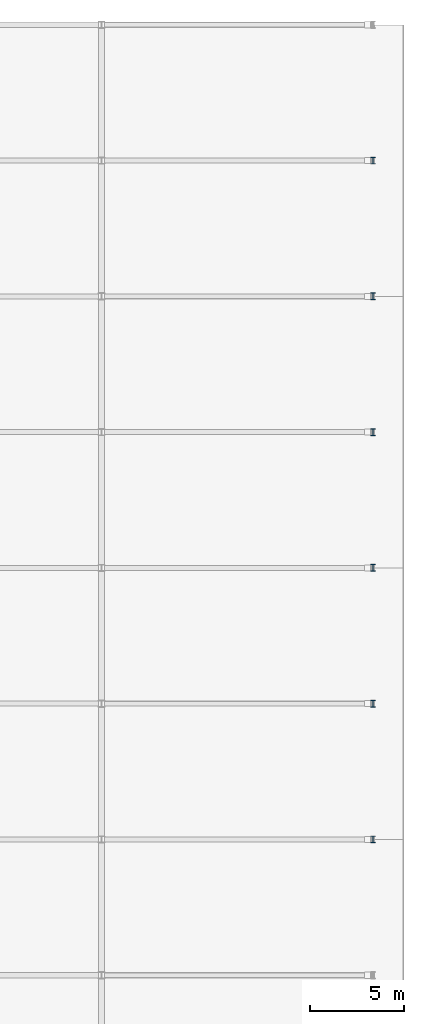
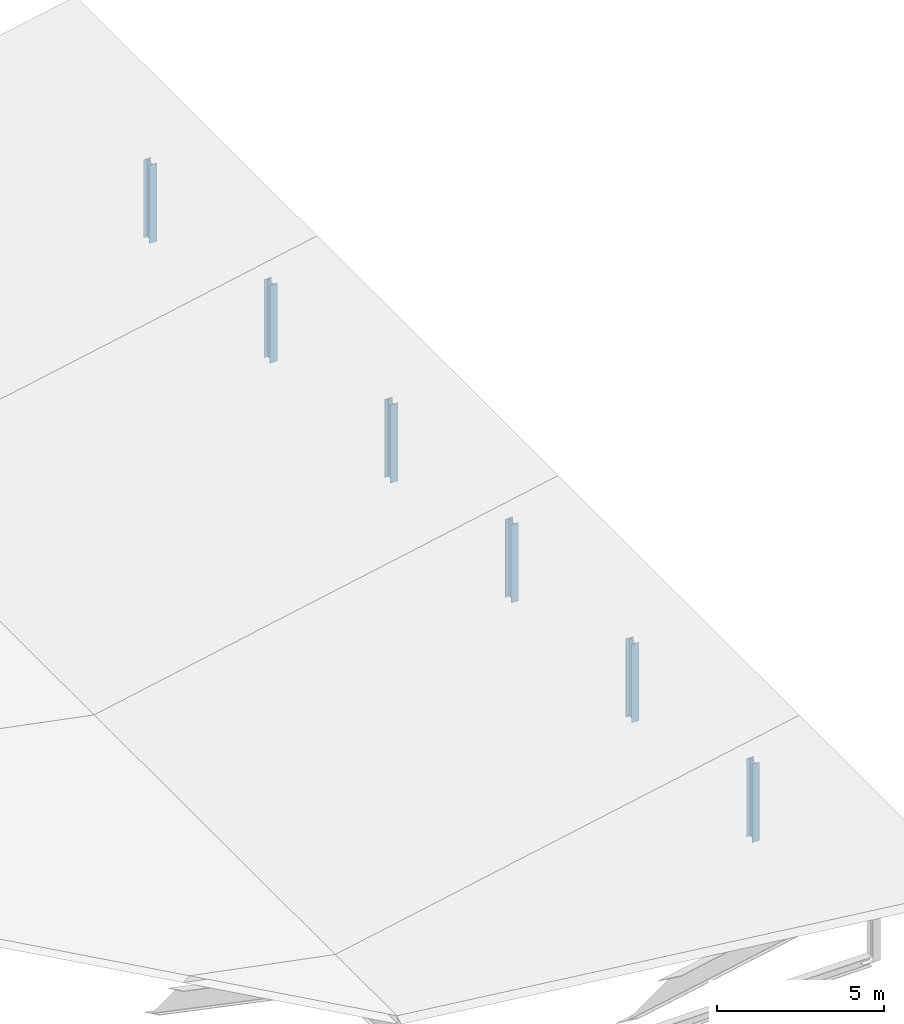
# One storey, part 19 of 94: 6 columns.
"""IFC4 building model written with IfcOpenShell, lengths in metres."""

from ifc_helpers import new_model, si_unit, direction, frame, origin, origin_2d, place, context, subcontext, project, spatial, i_section, extrude, material, material_profile, profile_set, type_object, element, save


model = new_model("IFC4")

# Units and contexts
model_context = context("Model", 3, precision=1e-05, world=origin(), true_north=direction((0.0, 1.0)))
body_context = subcontext(model_context, "Body", "Model", "MODEL_VIEW")
ifc_project = project(units=[si_unit("LENGTHUNIT", "METRE"), si_unit("AREAUNIT", "SQUARE_METRE"), si_unit("VOLUMEUNIT", "CUBIC_METRE"), si_unit("PLANEANGLEUNIT", "RADIAN"), si_unit("MASSUNIT", "GRAM", prefix="KILO")], contexts=[model_context])

# Site, building, storey
site_placement = place(None, origin())
site = spatial("IfcSite", under=ifc_project, at=site_placement, CompositionType="ELEMENT")
building_placement = place(site_placement, origin())
building = spatial("IfcBuilding", under=site, at=building_placement, Name="Kalmorath City Hall", CompositionType="ELEMENT")
storey_placement = place(building_placement, frame((0.0, 0.0, 14.699951171875)))
storey = spatial("IfcBuildingStorey", under=building, at=storey_placement, Name="L03", CompositionType="ELEMENT", Elevation=14.699951171875)

# Columns
ifc_material = material(Name="Steel ASTM A992 Grade 50", Category="steel")
ifc_material_profile = material_profile(ifc_material, i_section(OverallWidth=0.256103515625, OverallDepth=0.360107421875, WebThickness=0.011474609375, FlangeThickness=0.02001953125, FilletRadius=0.014892578125, at=origin_2d()), Name="W14X74")
ifc_profile_set = profile_set([ifc_material_profile], Name="Steel ASTM A992 Grade 50")
column_type = type_object("IfcColumnType", Name="Steel wide-flange column W14X74", PredefinedType="COLUMN", material=ifc_profile_set)
for number, where, z_axis, x_axis, name in (
    (1, (165.60009765625, 57.60009765625, 0.0), (0.0, 0.0, 1.0), (1.0, 0.0, 0.0), "L03 library east eave column SC4-3"),
    (2, (165.60009765625, 64.800048828125, 0.0), (0.0, 0.0, 1.0), (1.0, 0.0, 0.0), "L03 library east eave column SC4-4"),
    (3, (165.60009765625, 72.0, 0.0), (0.0, 0.0, 1.0), (1.0, 0.0, 0.0), "L03 library east eave column SC4-5"),
    (4, (165.60009765625, 79.199951171875, 0.0), (0.0, 0.0, 1.0), (1.0, 0.0, 0.0), "L03 library east eave column SC4-6"),
    (5, (165.60009765625, 86.39990234375, 0.0), (0.0, 0.0, 1.0), (1.0, 0.0, 0.0), "L03 library east eave column SC4-7"),
    (6, (165.60009765625, 93.60009765625, 0.0), (0.0, 0.0, 1.0), (1.0, 0.0, 0.0), "L03 library east eave column SC4-8"),
):
    element("IfcColumn", number, at=place(storey_placement, frame(where, z_axis=z_axis, x_axis=x_axis)), inside=storey, type_object=column_type, Name=name, PredefinedType="COLUMN", context=body_context, shape_type="SweptSolid", body=[
        extrude(i_section(OverallWidth=0.256103515625, OverallDepth=0.360107421875, WebThickness=0.011474609375, FlangeThickness=0.02001953125, FilletRadius=0.014892578125, at=origin_2d()), origin(), (0.0, 0.0, 1.0), 2.85009765625),
    ])

save(model, "model.ifc")
